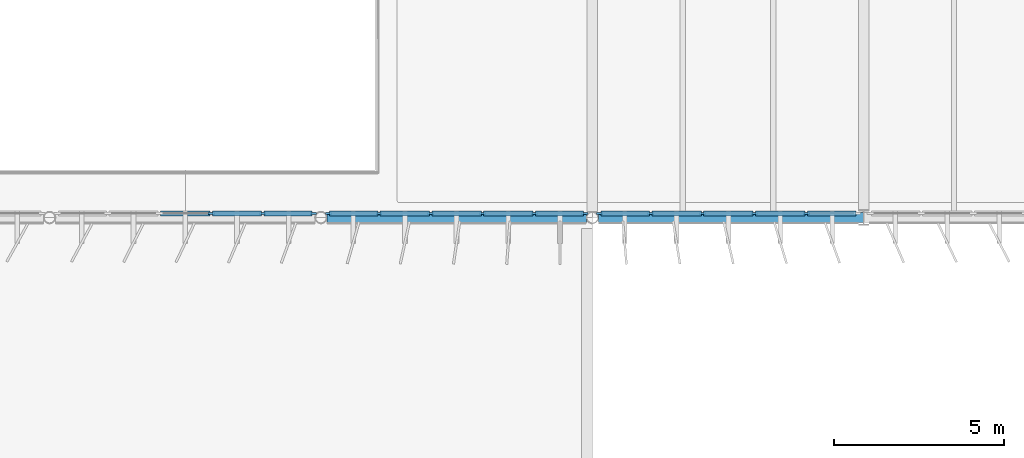
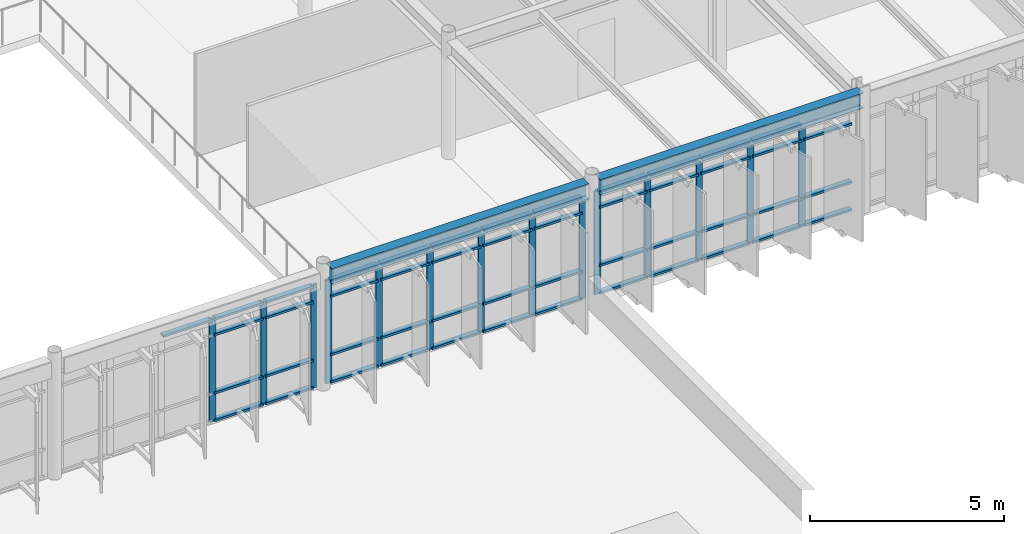
# One storey, part 19 of 56: 62 members, 2 beams, 3 elements without a shape of their own.
"""IFC4 building model written with IfcOpenShell, lengths in metres."""

from ifc_helpers import new_model, si_unit, direction, frame, origin, origin_2d, place, context, subcontext, project, spatial, rectangle, i_section, extrude, material, layer, layer_set, material_profile, profile_set, type_object, element, aggregate, save


model = new_model("IFC4")

# Units and contexts
model_context = context("Model", 3, precision=1e-05, world=origin(), true_north=direction((0.0, 1.0)))
body_context = subcontext(model_context, "Body", "Model", "MODEL_VIEW")
ifc_project = project(units=[si_unit("LENGTHUNIT", "METRE"), si_unit("AREAUNIT", "SQUARE_METRE"), si_unit("VOLUMEUNIT", "CUBIC_METRE"), si_unit("PLANEANGLEUNIT", "RADIAN"), si_unit("MASSUNIT", "GRAM", prefix="KILO")], contexts=[model_context])

# Site, building, storey
site_placement = place(None, origin())
site = spatial("IfcSite", under=ifc_project, at=site_placement, CompositionType="ELEMENT")
building_placement = place(site_placement, origin())
building = spatial("IfcBuilding", under=site, at=building_placement, Name="Valkorina Park Police Headquarters", CompositionType="ELEMENT")
storey_placement = place(building_placement, frame((0.0, 0.0, 14.10009765625)))
storey = spatial("IfcBuildingStorey", under=building, at=storey_placement, Name="L04", CompositionType="ELEMENT", Elevation=14.10009765625)

# Beams
ifc_material_1 = material(Name="Steel S355", Category="steel")
ifc_material_profile_1 = material_profile(ifc_material_1, i_section(OverallWidth=0.300048828125, OverallDepth=0.489990234375, WebThickness=0.011962890625, FlangeThickness=0.02294921875, FilletRadius=0.027099609375, at=origin_2d()), Name="HEA 500")
ifc_profile_set_1 = profile_set([ifc_material_profile_1], Name="Steel S355")
beam_type = type_object("IfcBeamType", Name="BM-S355-HEA500-SPN", PredefinedType="SPANDREL", material=ifc_profile_set_1)
beam_1_placement = place(storey_placement, frame((72.977783203125, 37.0, 3.510009765625), z_axis=(1.0, 0.0, 0.0), x_axis=(0.0, 1.0, 0.0)))
element("IfcBeam", 1, at=beam_1_placement, inside=storey, type_object=beam_type, Name="L04 Framing Beam 2223", PredefinedType="SPANDREL", context=body_context, shape_type="SweptSolid", body=[
    extrude(i_section(OverallWidth=0.300048828125, OverallDepth=0.489990234375, WebThickness=0.011962890625, FlangeThickness=0.02294921875, FilletRadius=0.027099609375, at=origin_2d()), origin(), (0.0, 0.0, 1.0), 7.64453125),
])
beam_2_placement = place(storey_placement, frame((80.977783203125, 37.0, 3.510009765625), z_axis=(1.0, 0.0, 0.0), x_axis=(0.0, 1.0, 0.0)))
element("IfcBeam", 2, at=beam_2_placement, inside=storey, type_object=beam_type, Name="L04 Framing Beam 2224", PredefinedType="SPANDREL", context=body_context, shape_type="SweptSolid", body=[
    extrude(i_section(OverallWidth=0.300048828125, OverallDepth=0.489990234375, WebThickness=0.011962890625, FlangeThickness=0.02294921875, FilletRadius=0.027099609375, at=origin_2d()), origin(), (0.0, 0.0, 1.0), 7.815185546875),
])

# Curtain wall, members
ifc_material_2 = material(Name="Thermally broken aluminium AW-6060", Category="aluminium")
ifc_layer_1 = layer(ifc_material_2, 0.18994140625)
ifc_layer_set_1 = layer_set([ifc_layer_1], Name="Thermally broken aluminium AW-6060")
curtain_wall_type_1 = type_object("IfcCurtainWallType", Name="CW-V5-7650x3260", PredefinedType="NOTDEFINED", material=ifc_layer_set_1)
curtain_wall_1_placement = place(storey_placement, origin())
curtain_wall_1 = element("IfcCurtainWall", 3, at=curtain_wall_1_placement, inside=storey, type_object=curtain_wall_type_1, Name="L04 Unitised Curtain Wall 047", PredefinedType="NOTDEFINED")
ifc_material_profile_2 = material_profile(ifc_material_2, rectangle(XDim=0.070068359375, YDim=0.18994140625, at=origin_2d()), Name="CWM-02 70x190")
ifc_profile_set_2 = profile_set([ifc_material_profile_2], Name="Thermally broken aluminium AW-6060")
member_type_1 = type_object("IfcMemberType", Name="CWM-70x190", PredefinedType="MULLION", material=ifc_profile_set_2)
member_1_placement = place(storey_placement, frame((87.109619140625, 37.1201171875, 0.0), z_axis=(0.0, 0.0, 1.0), x_axis=(0.0, -1.0, 0.0)))
member_1 = element("IfcMember", 4, at=member_1_placement, type_object=member_type_1, Name="CW-V5-765-326 mullion 2", PredefinedType="MULLION", context=body_context, shape_type="SweptSolid", body=[
    extrude(rectangle(XDim=0.070068359375, YDim=0.18994140625, at=origin_2d()), origin(), (0.0, 0.0, 1.0), 3.2548828125),
])
member_2_placement = place(storey_placement, frame((85.5791015625, 37.1201171875, 0.0), z_axis=(0.0, 0.0, 1.0), x_axis=(0.0, -1.0, 0.0)))
member_2 = element("IfcMember", 5, at=member_2_placement, type_object=member_type_1, Name="CW-V5-765-326 mullion 3", PredefinedType="MULLION", context=body_context, shape_type="SweptSolid", body=[
    extrude(rectangle(XDim=0.070068359375, YDim=0.18994140625, at=origin_2d()), origin(), (0.0, 0.0, 1.0), 3.2548828125),
])
member_3_placement = place(storey_placement, frame((84.048583984375, 37.1201171875, 0.0), z_axis=(0.0, 0.0, 1.0), x_axis=(0.0, -1.0, 0.0)))
member_3 = element("IfcMember", 6, at=member_3_placement, type_object=member_type_1, Name="CW-V5-765-326 mullion 4", PredefinedType="MULLION", context=body_context, shape_type="SweptSolid", body=[
    extrude(rectangle(XDim=0.070068359375, YDim=0.18994140625, at=origin_2d()), origin(), (0.0, 0.0, 1.0), 3.2548828125),
])
member_4_placement = place(storey_placement, frame((82.518310546875, 37.1201171875, 0.0), z_axis=(0.0, 0.0, 1.0), x_axis=(0.0, -1.0, 0.0)))
member_4 = element("IfcMember", 7, at=member_4_placement, type_object=member_type_1, Name="CW-V5-765-326 mullion 5", PredefinedType="MULLION", context=body_context, shape_type="SweptSolid", body=[
    extrude(rectangle(XDim=0.070068359375, YDim=0.18994140625, at=origin_2d()), origin(), (0.0, 0.0, 1.0), 3.2548828125),
])
member_5_placement = place(storey_placement, frame((81.022705078125, 37.1201171875, 0.0), z_axis=(0.0, 0.0, 1.0), x_axis=(0.0, -1.0, 0.0)))
member_5 = element("IfcMember", 8, at=member_5_placement, type_object=member_type_1, Name="CW-V5-765-326 mullion 6", PredefinedType="MULLION", context=body_context, shape_type="SweptSolid", body=[
    extrude(rectangle(XDim=0.070068359375, YDim=0.18994140625, at=origin_2d()), origin(), (0.0, 0.0, 1.0), 3.2548828125),
])

ifc_layer_2 = layer(ifc_material_2, 0.18994140625)
ifc_layer_set_2 = layer_set([ifc_layer_2], Name="Thermally broken aluminium AW-6060")
curtain_wall_type_2 = type_object("IfcCurtainWallType", Name="CW-V5-7620x3260", PredefinedType="NOTDEFINED", material=ifc_layer_set_2)
curtain_wall_2_placement = place(storey_placement, origin())
curtain_wall_2 = element("IfcCurtainWall", 9, at=curtain_wall_2_placement, inside=storey, type_object=curtain_wall_type_2, Name="L04 Unitised Curtain Wall 048", PredefinedType="NOTDEFINED")
member_6_placement = place(storey_placement, frame((80.5771484375, 37.1201171875, 0.0), z_axis=(0.0, 0.0, 1.0), x_axis=(0.0, -1.0, 0.0)))
member_6 = element("IfcMember", 10, at=member_6_placement, type_object=member_type_1, Name="CW-V5-762-326 mullion 1", PredefinedType="MULLION", context=body_context, shape_type="SweptSolid", body=[
    extrude(rectangle(XDim=0.070068359375, YDim=0.18994140625, at=origin_2d()), origin(), (0.0, 0.0, 1.0), 3.2548828125),
])
member_7_placement = place(storey_placement, frame((79.08740234375, 37.1201171875, 0.0), z_axis=(0.0, 0.0, 1.0), x_axis=(0.0, -1.0, 0.0)))
member_7 = element("IfcMember", 11, at=member_7_placement, type_object=member_type_1, Name="CW-V5-762-326 mullion 2", PredefinedType="MULLION", context=body_context, shape_type="SweptSolid", body=[
    extrude(rectangle(XDim=0.070068359375, YDim=0.18994140625, at=origin_2d()), origin(), (0.0, 0.0, 1.0), 3.2548828125),
])
member_8_placement = place(storey_placement, frame((77.5625, 37.1201171875, 0.0), z_axis=(0.0, 0.0, 1.0), x_axis=(0.0, -1.0, 0.0)))
member_8 = element("IfcMember", 12, at=member_8_placement, type_object=member_type_1, Name="CW-V5-762-326 mullion 3", PredefinedType="MULLION", context=body_context, shape_type="SweptSolid", body=[
    extrude(rectangle(XDim=0.070068359375, YDim=0.18994140625, at=origin_2d()), origin(), (0.0, 0.0, 1.0), 3.2548828125),
])
member_9_placement = place(storey_placement, frame((76.03759765625, 37.1201171875, 0.0), z_axis=(0.0, 0.0, 1.0), x_axis=(0.0, -1.0, 0.0)))
member_9 = element("IfcMember", 13, at=member_9_placement, type_object=member_type_1, Name="CW-V5-762-326 mullion 4", PredefinedType="MULLION", context=body_context, shape_type="SweptSolid", body=[
    extrude(rectangle(XDim=0.070068359375, YDim=0.18994140625, at=origin_2d()), origin(), (0.0, 0.0, 1.0), 3.2548828125),
])
member_10_placement = place(storey_placement, frame((74.5126953125, 37.1201171875, 0.0), z_axis=(0.0, 0.0, 1.0), x_axis=(0.0, -1.0, 0.0)))
member_10 = element("IfcMember", 14, at=member_10_placement, type_object=member_type_1, Name="CW-V5-762-326 mullion 5", PredefinedType="MULLION", context=body_context, shape_type="SweptSolid", body=[
    extrude(rectangle(XDim=0.070068359375, YDim=0.18994140625, at=origin_2d()), origin(), (0.0, 0.0, 1.0), 3.2548828125),
])
member_11_placement = place(storey_placement, frame((73.022705078125, 37.1201171875, 0.0), z_axis=(0.0, 0.0, 1.0), x_axis=(0.0, -1.0, 0.0)))
member_11 = element("IfcMember", 15, at=member_11_placement, type_object=member_type_1, Name="CW-V5-762-326 mullion 6", PredefinedType="MULLION", context=body_context, shape_type="SweptSolid", body=[
    extrude(rectangle(XDim=0.070068359375, YDim=0.18994140625, at=origin_2d()), origin(), (0.0, 0.0, 1.0), 3.2548828125),
])

curtain_wall_3_placement = place(storey_placement, origin())
curtain_wall_3 = element("IfcCurtainWall", 16, at=curtain_wall_3_placement, inside=storey, type_object=curtain_wall_type_2, Name="L04 Unitised Curtain Wall 049", PredefinedType="NOTDEFINED")
member_12_placement = place(storey_placement, frame((72.5771484375, 37.1201171875, 0.0), z_axis=(0.0, 0.0, 1.0), x_axis=(0.0, -1.0, 0.0)))
member_12 = element("IfcMember", 17, at=member_12_placement, type_object=member_type_1, Name="CW-V5-762-326 mullion 1", PredefinedType="MULLION", context=body_context, shape_type="SweptSolid", body=[
    extrude(rectangle(XDim=0.070068359375, YDim=0.18994140625, at=origin_2d()), origin(), (0.0, 0.0, 1.0), 3.2548828125),
])
member_13_placement = place(storey_placement, frame((71.08740234375, 37.1201171875, 0.0), z_axis=(0.0, 0.0, 1.0), x_axis=(0.0, -1.0, 0.0)))
member_13 = element("IfcMember", 18, at=member_13_placement, type_object=member_type_1, Name="CW-V5-762-326 mullion 2", PredefinedType="MULLION", context=body_context, shape_type="SweptSolid", body=[
    extrude(rectangle(XDim=0.070068359375, YDim=0.18994140625, at=origin_2d()), origin(), (0.0, 0.0, 1.0), 3.2548828125),
])
member_14_placement = place(storey_placement, frame((69.5625, 37.1201171875, 0.0), z_axis=(0.0, 0.0, 1.0), x_axis=(0.0, -1.0, 0.0)))
member_14 = element("IfcMember", 19, at=member_14_placement, type_object=member_type_1, Name="CW-V5-762-326 mullion 3", PredefinedType="MULLION", context=body_context, shape_type="SweptSolid", body=[
    extrude(rectangle(XDim=0.070068359375, YDim=0.18994140625, at=origin_2d()), origin(), (0.0, 0.0, 1.0), 3.2548828125),
])

# Member
ifc_material_profile_3 = material_profile(ifc_material_2, rectangle(XDim=0.14990234375, YDim=0.070068359375, at=origin_2d()), Name="CWT-02 150x70")
ifc_profile_set_3 = profile_set([ifc_material_profile_3], Name="Thermally broken aluminium AW-6060")
member_type_2 = type_object("IfcMemberType", Name="CWT-150x70", PredefinedType="USERDEFINED", material=ifc_profile_set_3)
member_15_placement = place(storey_placement, frame((88.570068359375, 37.1201171875, 0.034912109375), z_axis=(-1.0, 0.0, 0.0), x_axis=(0.0, -1.0, 0.0)))
member_15 = element("IfcMember", 20, at=member_15_placement, type_object=member_type_2, Name="CW-V5-765-326 transom 1.1", ObjectType="TRANSOM", PredefinedType="USERDEFINED", context=body_context, shape_type="SweptSolid", body=[
    extrude(rectangle(XDim=0.14990234375, YDim=0.070068359375, at=origin_2d()), origin(), (0.0, 0.0, 1.0), 1.425537109375),
])

member_16_placement = place(storey_placement, frame((88.570068359375, 37.1201171875, 0.89990234375), z_axis=(-1.0, 0.0, 0.0), x_axis=(0.0, -1.0, 0.0)))
member_16 = element("IfcMember", 21, at=member_16_placement, type_object=member_type_2, Name="CW-V5-765-326 transom 1.2", ObjectType="TRANSOM", PredefinedType="USERDEFINED", context=body_context, shape_type="SweptSolid", body=[
    extrude(rectangle(XDim=0.14990234375, YDim=0.070068359375, at=origin_2d()), origin(), (0.0, 0.0, 1.0), 1.425537109375),
])

member_17_placement = place(storey_placement, frame((88.570068359375, 37.1201171875, 2.73486328125), z_axis=(-1.0, 0.0, 0.0), x_axis=(0.0, -1.0, 0.0)))
member_17 = element("IfcMember", 22, at=member_17_placement, type_object=member_type_2, Name="CW-V5-765-326 transom 1.3", ObjectType="TRANSOM", PredefinedType="USERDEFINED", context=body_context, shape_type="SweptSolid", body=[
    extrude(rectangle(XDim=0.14990234375, YDim=0.070068359375, at=origin_2d()), origin(), (0.0, 0.0, 1.0), 1.425537109375),
])

member_18_placement = place(storey_placement, frame((87.074462890625, 37.1201171875, 0.034912109375), z_axis=(-1.0, 0.0, 0.0), x_axis=(0.0, -1.0, 0.0)))
member_18 = element("IfcMember", 23, at=member_18_placement, type_object=member_type_2, Name="CW-V5-765-326 transom 2.1", ObjectType="TRANSOM", PredefinedType="USERDEFINED", context=body_context, shape_type="SweptSolid", body=[
    extrude(rectangle(XDim=0.14990234375, YDim=0.070068359375, at=origin_2d()), origin(), (0.0, 0.0, 1.0), 1.46044921875),
])

member_19_placement = place(storey_placement, frame((87.074462890625, 37.1201171875, 0.89990234375), z_axis=(-1.0, 0.0, 0.0), x_axis=(0.0, -1.0, 0.0)))
member_19 = element("IfcMember", 24, at=member_19_placement, type_object=member_type_2, Name="CW-V5-765-326 transom 2.2", ObjectType="TRANSOM", PredefinedType="USERDEFINED", context=body_context, shape_type="SweptSolid", body=[
    extrude(rectangle(XDim=0.14990234375, YDim=0.070068359375, at=origin_2d()), origin(), (0.0, 0.0, 1.0), 1.46044921875),
])

member_20_placement = place(storey_placement, frame((87.074462890625, 37.1201171875, 2.73486328125), z_axis=(-1.0, 0.0, 0.0), x_axis=(0.0, -1.0, 0.0)))
member_20 = element("IfcMember", 25, at=member_20_placement, type_object=member_type_2, Name="CW-V5-765-326 transom 2.3", ObjectType="TRANSOM", PredefinedType="USERDEFINED", context=body_context, shape_type="SweptSolid", body=[
    extrude(rectangle(XDim=0.14990234375, YDim=0.070068359375, at=origin_2d()), origin(), (0.0, 0.0, 1.0), 1.46044921875),
])

member_21_placement = place(storey_placement, frame((87.074462890625, 37.1201171875, 3.219970703125), z_axis=(-1.0, 0.0, 0.0), x_axis=(0.0, -1.0, 0.0)))
member_21 = element("IfcMember", 26, at=member_21_placement, type_object=member_type_2, Name="CW-V5-765-326 transom 2.4", ObjectType="TRANSOM", PredefinedType="USERDEFINED", context=body_context, shape_type="SweptSolid", body=[
    extrude(rectangle(XDim=0.14990234375, YDim=0.070068359375, at=origin_2d()), origin(), (0.0, 0.0, 1.0), 1.46044921875),
])

member_22_placement = place(storey_placement, frame((85.544189453125, 37.1201171875, 0.034912109375), z_axis=(-1.0, 0.0, 0.0), x_axis=(0.0, -1.0, 0.0)))
member_22 = element("IfcMember", 27, at=member_22_placement, type_object=member_type_2, Name="CW-V5-765-326 transom 3.1", ObjectType="TRANSOM", PredefinedType="USERDEFINED", context=body_context, shape_type="SweptSolid", body=[
    extrude(rectangle(XDim=0.14990234375, YDim=0.070068359375, at=origin_2d()), origin(), (0.0, 0.0, 1.0), 1.46044921875),
])

member_23_placement = place(storey_placement, frame((85.544189453125, 37.1201171875, 0.89990234375), z_axis=(-1.0, 0.0, 0.0), x_axis=(0.0, -1.0, 0.0)))
member_23 = element("IfcMember", 28, at=member_23_placement, type_object=member_type_2, Name="CW-V5-765-326 transom 3.2", ObjectType="TRANSOM", PredefinedType="USERDEFINED", context=body_context, shape_type="SweptSolid", body=[
    extrude(rectangle(XDim=0.14990234375, YDim=0.070068359375, at=origin_2d()), origin(), (0.0, 0.0, 1.0), 1.46044921875),
])

member_24_placement = place(storey_placement, frame((85.544189453125, 37.1201171875, 2.73486328125), z_axis=(-1.0, 0.0, 0.0), x_axis=(0.0, -1.0, 0.0)))
member_24 = element("IfcMember", 29, at=member_24_placement, type_object=member_type_2, Name="CW-V5-765-326 transom 3.3", ObjectType="TRANSOM", PredefinedType="USERDEFINED", context=body_context, shape_type="SweptSolid", body=[
    extrude(rectangle(XDim=0.14990234375, YDim=0.070068359375, at=origin_2d()), origin(), (0.0, 0.0, 1.0), 1.46044921875),
])

member_25_placement = place(storey_placement, frame((85.544189453125, 37.1201171875, 3.219970703125), z_axis=(-1.0, 0.0, 0.0), x_axis=(0.0, -1.0, 0.0)))
member_25 = element("IfcMember", 30, at=member_25_placement, type_object=member_type_2, Name="CW-V5-765-326 transom 3.4", ObjectType="TRANSOM", PredefinedType="USERDEFINED", context=body_context, shape_type="SweptSolid", body=[
    extrude(rectangle(XDim=0.14990234375, YDim=0.070068359375, at=origin_2d()), origin(), (0.0, 0.0, 1.0), 1.46044921875),
])

member_26_placement = place(storey_placement, frame((84.013671875, 37.1201171875, 0.034912109375), z_axis=(-1.0, 0.0, 0.0), x_axis=(0.0, -1.0, 0.0)))
member_26 = element("IfcMember", 31, at=member_26_placement, type_object=member_type_2, Name="CW-V5-765-326 transom 4.1", ObjectType="TRANSOM", PredefinedType="USERDEFINED", context=body_context, shape_type="SweptSolid", body=[
    extrude(rectangle(XDim=0.14990234375, YDim=0.070068359375, at=origin_2d()), origin(), (0.0, 0.0, 1.0), 1.46044921875),
])

member_27_placement = place(storey_placement, frame((84.013671875, 37.1201171875, 0.89990234375), z_axis=(-1.0, 0.0, 0.0), x_axis=(0.0, -1.0, 0.0)))
member_27 = element("IfcMember", 32, at=member_27_placement, type_object=member_type_2, Name="CW-V5-765-326 transom 4.2", ObjectType="TRANSOM", PredefinedType="USERDEFINED", context=body_context, shape_type="SweptSolid", body=[
    extrude(rectangle(XDim=0.14990234375, YDim=0.070068359375, at=origin_2d()), origin(), (0.0, 0.0, 1.0), 1.46044921875),
])

member_28_placement = place(storey_placement, frame((84.013671875, 37.1201171875, 2.73486328125), z_axis=(-1.0, 0.0, 0.0), x_axis=(0.0, -1.0, 0.0)))
member_28 = element("IfcMember", 33, at=member_28_placement, type_object=member_type_2, Name="CW-V5-765-326 transom 4.3", ObjectType="TRANSOM", PredefinedType="USERDEFINED", context=body_context, shape_type="SweptSolid", body=[
    extrude(rectangle(XDim=0.14990234375, YDim=0.070068359375, at=origin_2d()), origin(), (0.0, 0.0, 1.0), 1.46044921875),
])

member_29_placement = place(storey_placement, frame((84.013671875, 37.1201171875, 3.219970703125), z_axis=(-1.0, 0.0, 0.0), x_axis=(0.0, -1.0, 0.0)))
member_29 = element("IfcMember", 34, at=member_29_placement, type_object=member_type_2, Name="CW-V5-765-326 transom 4.4", ObjectType="TRANSOM", PredefinedType="USERDEFINED", context=body_context, shape_type="SweptSolid", body=[
    extrude(rectangle(XDim=0.14990234375, YDim=0.070068359375, at=origin_2d()), origin(), (0.0, 0.0, 1.0), 1.46044921875),
])

member_30_placement = place(storey_placement, frame((82.483154296875, 37.1201171875, 0.034912109375), z_axis=(-1.0, 0.0, 0.0), x_axis=(0.0, -1.0, 0.0)))
member_30 = element("IfcMember", 35, at=member_30_placement, type_object=member_type_2, Name="CW-V5-765-326 transom 5.1", ObjectType="TRANSOM", PredefinedType="USERDEFINED", context=body_context, shape_type="SweptSolid", body=[
    extrude(rectangle(XDim=0.14990234375, YDim=0.070068359375, at=origin_2d()), origin(), (0.0, 0.0, 1.0), 1.42529296875),
])

member_31_placement = place(storey_placement, frame((82.483154296875, 37.1201171875, 0.89990234375), z_axis=(-1.0, 0.0, 0.0), x_axis=(0.0, -1.0, 0.0)))
member_31 = element("IfcMember", 36, at=member_31_placement, type_object=member_type_2, Name="CW-V5-765-326 transom 5.2", ObjectType="TRANSOM", PredefinedType="USERDEFINED", context=body_context, shape_type="SweptSolid", body=[
    extrude(rectangle(XDim=0.14990234375, YDim=0.070068359375, at=origin_2d()), origin(), (0.0, 0.0, 1.0), 1.42529296875),
])

member_32_placement = place(storey_placement, frame((82.483154296875, 37.1201171875, 2.73486328125), z_axis=(-1.0, 0.0, 0.0), x_axis=(0.0, -1.0, 0.0)))
member_32 = element("IfcMember", 37, at=member_32_placement, type_object=member_type_2, Name="CW-V5-765-326 transom 5.3", ObjectType="TRANSOM", PredefinedType="USERDEFINED", context=body_context, shape_type="SweptSolid", body=[
    extrude(rectangle(XDim=0.14990234375, YDim=0.070068359375, at=origin_2d()), origin(), (0.0, 0.0, 1.0), 1.42529296875),
])

member_33_placement = place(storey_placement, frame((82.483154296875, 37.1201171875, 3.219970703125), z_axis=(-1.0, 0.0, 0.0), x_axis=(0.0, -1.0, 0.0)))
member_33 = element("IfcMember", 38, at=member_33_placement, type_object=member_type_2, Name="CW-V5-765-326 transom 5.4", ObjectType="TRANSOM", PredefinedType="USERDEFINED", context=body_context, shape_type="SweptSolid", body=[
    extrude(rectangle(XDim=0.14990234375, YDim=0.070068359375, at=origin_2d()), origin(), (0.0, 0.0, 1.0), 1.42529296875),
])

aggregate(curtain_wall_1, [member_1, member_2, member_3, member_4, member_5, member_15, member_16, member_17, member_18, member_19, member_20, member_21, member_22, member_23, member_24, member_25, member_26, member_27, member_28, member_29, member_30, member_31, member_32, member_33])

member_34_placement = place(storey_placement, frame((80.542236328125, 37.1201171875, 0.034912109375), z_axis=(-1.0, 0.0, 0.0), x_axis=(0.0, -1.0, 0.0)))
member_34 = element("IfcMember", 39, at=member_34_placement, type_object=member_type_2, Name="CW-V5-762-326 transom 1.1", ObjectType="TRANSOM", PredefinedType="USERDEFINED", context=body_context, shape_type="SweptSolid", body=[
    extrude(rectangle(XDim=0.14990234375, YDim=0.070068359375, at=origin_2d()), origin(), (0.0, 0.0, 1.0), 1.419921875),
])

member_35_placement = place(storey_placement, frame((80.542236328125, 37.1201171875, 0.89990234375), z_axis=(-1.0, 0.0, 0.0), x_axis=(0.0, -1.0, 0.0)))
member_35 = element("IfcMember", 40, at=member_35_placement, type_object=member_type_2, Name="CW-V5-762-326 transom 1.2", ObjectType="TRANSOM", PredefinedType="USERDEFINED", context=body_context, shape_type="SweptSolid", body=[
    extrude(rectangle(XDim=0.14990234375, YDim=0.070068359375, at=origin_2d()), origin(), (0.0, 0.0, 1.0), 1.419921875),
])

member_36_placement = place(storey_placement, frame((80.542236328125, 37.1201171875, 2.73486328125), z_axis=(-1.0, 0.0, 0.0), x_axis=(0.0, -1.0, 0.0)))
member_36 = element("IfcMember", 41, at=member_36_placement, type_object=member_type_2, Name="CW-V5-762-326 transom 1.3", ObjectType="TRANSOM", PredefinedType="USERDEFINED", context=body_context, shape_type="SweptSolid", body=[
    extrude(rectangle(XDim=0.14990234375, YDim=0.070068359375, at=origin_2d()), origin(), (0.0, 0.0, 1.0), 1.419921875),
])

member_37_placement = place(storey_placement, frame((80.542236328125, 37.1201171875, 3.219970703125), z_axis=(-1.0, 0.0, 0.0), x_axis=(0.0, -1.0, 0.0)))
member_37 = element("IfcMember", 42, at=member_37_placement, type_object=member_type_2, Name="CW-V5-762-326 transom 1.4", ObjectType="TRANSOM", PredefinedType="USERDEFINED", context=body_context, shape_type="SweptSolid", body=[
    extrude(rectangle(XDim=0.14990234375, YDim=0.070068359375, at=origin_2d()), origin(), (0.0, 0.0, 1.0), 1.419921875),
])

member_38_placement = place(storey_placement, frame((79.05224609375, 37.1201171875, 0.034912109375), z_axis=(-1.0, 0.0, 0.0), x_axis=(0.0, -1.0, 0.0)))
member_38 = element("IfcMember", 43, at=member_38_placement, type_object=member_type_2, Name="CW-V5-762-326 transom 2.1", ObjectType="TRANSOM", PredefinedType="USERDEFINED", context=body_context, shape_type="SweptSolid", body=[
    extrude(rectangle(XDim=0.14990234375, YDim=0.070068359375, at=origin_2d()), origin(), (0.0, 0.0, 1.0), 1.454833984375),
])

member_39_placement = place(storey_placement, frame((79.05224609375, 37.1201171875, 0.89990234375), z_axis=(-1.0, 0.0, 0.0), x_axis=(0.0, -1.0, 0.0)))
member_39 = element("IfcMember", 44, at=member_39_placement, type_object=member_type_2, Name="CW-V5-762-326 transom 2.2", ObjectType="TRANSOM", PredefinedType="USERDEFINED", context=body_context, shape_type="SweptSolid", body=[
    extrude(rectangle(XDim=0.14990234375, YDim=0.070068359375, at=origin_2d()), origin(), (0.0, 0.0, 1.0), 1.454833984375),
])

member_40_placement = place(storey_placement, frame((79.05224609375, 37.1201171875, 2.73486328125), z_axis=(-1.0, 0.0, 0.0), x_axis=(0.0, -1.0, 0.0)))
member_40 = element("IfcMember", 45, at=member_40_placement, type_object=member_type_2, Name="CW-V5-762-326 transom 2.3", ObjectType="TRANSOM", PredefinedType="USERDEFINED", context=body_context, shape_type="SweptSolid", body=[
    extrude(rectangle(XDim=0.14990234375, YDim=0.070068359375, at=origin_2d()), origin(), (0.0, 0.0, 1.0), 1.454833984375),
])

member_41_placement = place(storey_placement, frame((79.05224609375, 37.1201171875, 3.219970703125), z_axis=(-1.0, 0.0, 0.0), x_axis=(0.0, -1.0, 0.0)))
member_41 = element("IfcMember", 46, at=member_41_placement, type_object=member_type_2, Name="CW-V5-762-326 transom 2.4", ObjectType="TRANSOM", PredefinedType="USERDEFINED", context=body_context, shape_type="SweptSolid", body=[
    extrude(rectangle(XDim=0.14990234375, YDim=0.070068359375, at=origin_2d()), origin(), (0.0, 0.0, 1.0), 1.454833984375),
])

member_42_placement = place(storey_placement, frame((77.52734375, 37.1201171875, 0.034912109375), z_axis=(-1.0, 0.0, 0.0), x_axis=(0.0, -1.0, 0.0)))
member_42 = element("IfcMember", 47, at=member_42_placement, type_object=member_type_2, Name="CW-V5-762-326 transom 3.1", ObjectType="TRANSOM", PredefinedType="USERDEFINED", context=body_context, shape_type="SweptSolid", body=[
    extrude(rectangle(XDim=0.14990234375, YDim=0.070068359375, at=origin_2d()), origin(), (0.0, 0.0, 1.0), 1.454833984375),
])

member_43_placement = place(storey_placement, frame((77.52734375, 37.1201171875, 0.89990234375), z_axis=(-1.0, 0.0, 0.0), x_axis=(0.0, -1.0, 0.0)))
member_43 = element("IfcMember", 48, at=member_43_placement, type_object=member_type_2, Name="CW-V5-762-326 transom 3.2", ObjectType="TRANSOM", PredefinedType="USERDEFINED", context=body_context, shape_type="SweptSolid", body=[
    extrude(rectangle(XDim=0.14990234375, YDim=0.070068359375, at=origin_2d()), origin(), (0.0, 0.0, 1.0), 1.454833984375),
])

member_44_placement = place(storey_placement, frame((77.52734375, 37.1201171875, 2.73486328125), z_axis=(-1.0, 0.0, 0.0), x_axis=(0.0, -1.0, 0.0)))
member_44 = element("IfcMember", 49, at=member_44_placement, type_object=member_type_2, Name="CW-V5-762-326 transom 3.3", ObjectType="TRANSOM", PredefinedType="USERDEFINED", context=body_context, shape_type="SweptSolid", body=[
    extrude(rectangle(XDim=0.14990234375, YDim=0.070068359375, at=origin_2d()), origin(), (0.0, 0.0, 1.0), 1.454833984375),
])

member_45_placement = place(storey_placement, frame((77.52734375, 37.1201171875, 3.219970703125), z_axis=(-1.0, 0.0, 0.0), x_axis=(0.0, -1.0, 0.0)))
member_45 = element("IfcMember", 50, at=member_45_placement, type_object=member_type_2, Name="CW-V5-762-326 transom 3.4", ObjectType="TRANSOM", PredefinedType="USERDEFINED", context=body_context, shape_type="SweptSolid", body=[
    extrude(rectangle(XDim=0.14990234375, YDim=0.070068359375, at=origin_2d()), origin(), (0.0, 0.0, 1.0), 1.454833984375),
])

member_46_placement = place(storey_placement, frame((76.00244140625, 37.1201171875, 0.034912109375), z_axis=(-1.0, 0.0, 0.0), x_axis=(0.0, -1.0, 0.0)))
member_46 = element("IfcMember", 51, at=member_46_placement, type_object=member_type_2, Name="CW-V5-762-326 transom 4.1", ObjectType="TRANSOM", PredefinedType="USERDEFINED", context=body_context, shape_type="SweptSolid", body=[
    extrude(rectangle(XDim=0.14990234375, YDim=0.070068359375, at=origin_2d()), origin(), (0.0, 0.0, 1.0), 1.454833984375),
])

member_47_placement = place(storey_placement, frame((76.00244140625, 37.1201171875, 0.89990234375), z_axis=(-1.0, 0.0, 0.0), x_axis=(0.0, -1.0, 0.0)))
member_47 = element("IfcMember", 52, at=member_47_placement, type_object=member_type_2, Name="CW-V5-762-326 transom 4.2", ObjectType="TRANSOM", PredefinedType="USERDEFINED", context=body_context, shape_type="SweptSolid", body=[
    extrude(rectangle(XDim=0.14990234375, YDim=0.070068359375, at=origin_2d()), origin(), (0.0, 0.0, 1.0), 1.454833984375),
])

member_48_placement = place(storey_placement, frame((76.00244140625, 37.1201171875, 2.73486328125), z_axis=(-1.0, 0.0, 0.0), x_axis=(0.0, -1.0, 0.0)))
member_48 = element("IfcMember", 53, at=member_48_placement, type_object=member_type_2, Name="CW-V5-762-326 transom 4.3", ObjectType="TRANSOM", PredefinedType="USERDEFINED", context=body_context, shape_type="SweptSolid", body=[
    extrude(rectangle(XDim=0.14990234375, YDim=0.070068359375, at=origin_2d()), origin(), (0.0, 0.0, 1.0), 1.454833984375),
])

member_49_placement = place(storey_placement, frame((76.00244140625, 37.1201171875, 3.219970703125), z_axis=(-1.0, 0.0, 0.0), x_axis=(0.0, -1.0, 0.0)))
member_49 = element("IfcMember", 54, at=member_49_placement, type_object=member_type_2, Name="CW-V5-762-326 transom 4.4", ObjectType="TRANSOM", PredefinedType="USERDEFINED", context=body_context, shape_type="SweptSolid", body=[
    extrude(rectangle(XDim=0.14990234375, YDim=0.070068359375, at=origin_2d()), origin(), (0.0, 0.0, 1.0), 1.454833984375),
])

member_50_placement = place(storey_placement, frame((74.477783203125, 37.1201171875, 0.034912109375), z_axis=(-1.0, 0.0, 0.0), x_axis=(0.0, -1.0, 0.0)))
member_50 = element("IfcMember", 55, at=member_50_placement, type_object=member_type_2, Name="CW-V5-762-326 transom 5.1", ObjectType="TRANSOM", PredefinedType="USERDEFINED", context=body_context, shape_type="SweptSolid", body=[
    extrude(rectangle(XDim=0.14990234375, YDim=0.070068359375, at=origin_2d()), origin(), (0.0, 0.0, 1.0), 1.419921875),
])

member_51_placement = place(storey_placement, frame((74.477783203125, 37.1201171875, 0.89990234375), z_axis=(-1.0, 0.0, 0.0), x_axis=(0.0, -1.0, 0.0)))
member_51 = element("IfcMember", 56, at=member_51_placement, type_object=member_type_2, Name="CW-V5-762-326 transom 5.2", ObjectType="TRANSOM", PredefinedType="USERDEFINED", context=body_context, shape_type="SweptSolid", body=[
    extrude(rectangle(XDim=0.14990234375, YDim=0.070068359375, at=origin_2d()), origin(), (0.0, 0.0, 1.0), 1.419921875),
])

member_52_placement = place(storey_placement, frame((74.477783203125, 37.1201171875, 2.73486328125), z_axis=(-1.0, 0.0, 0.0), x_axis=(0.0, -1.0, 0.0)))
member_52 = element("IfcMember", 57, at=member_52_placement, type_object=member_type_2, Name="CW-V5-762-326 transom 5.3", ObjectType="TRANSOM", PredefinedType="USERDEFINED", context=body_context, shape_type="SweptSolid", body=[
    extrude(rectangle(XDim=0.14990234375, YDim=0.070068359375, at=origin_2d()), origin(), (0.0, 0.0, 1.0), 1.419921875),
])

member_53_placement = place(storey_placement, frame((74.477783203125, 37.1201171875, 3.219970703125), z_axis=(-1.0, 0.0, 0.0), x_axis=(0.0, -1.0, 0.0)))
member_53 = element("IfcMember", 58, at=member_53_placement, type_object=member_type_2, Name="CW-V5-762-326 transom 5.4", ObjectType="TRANSOM", PredefinedType="USERDEFINED", context=body_context, shape_type="SweptSolid", body=[
    extrude(rectangle(XDim=0.14990234375, YDim=0.070068359375, at=origin_2d()), origin(), (0.0, 0.0, 1.0), 1.419921875),
])

aggregate(curtain_wall_2, [member_6, member_7, member_8, member_9, member_10, member_11, member_34, member_35, member_36, member_37, member_38, member_39, member_40, member_41, member_42, member_43, member_44, member_45, member_46, member_47, member_48, member_49, member_50, member_51, member_52, member_53])

member_54_placement = place(storey_placement, frame((72.542236328125, 37.1201171875, 0.034912109375), z_axis=(-1.0, 0.0, 0.0), x_axis=(0.0, -1.0, 0.0)))
member_54 = element("IfcMember", 59, at=member_54_placement, type_object=member_type_2, Name="CW-V5-762-326 transom 1.1", ObjectType="TRANSOM", PredefinedType="USERDEFINED", context=body_context, shape_type="SweptSolid", body=[
    extrude(rectangle(XDim=0.14990234375, YDim=0.070068359375, at=origin_2d()), origin(), (0.0, 0.0, 1.0), 1.419921875),
])

member_55_placement = place(storey_placement, frame((72.542236328125, 37.1201171875, 0.89990234375), z_axis=(-1.0, 0.0, 0.0), x_axis=(0.0, -1.0, 0.0)))
member_55 = element("IfcMember", 60, at=member_55_placement, type_object=member_type_2, Name="CW-V5-762-326 transom 1.2", ObjectType="TRANSOM", PredefinedType="USERDEFINED", context=body_context, shape_type="SweptSolid", body=[
    extrude(rectangle(XDim=0.14990234375, YDim=0.070068359375, at=origin_2d()), origin(), (0.0, 0.0, 1.0), 1.419921875),
])

member_56_placement = place(storey_placement, frame((72.542236328125, 37.1201171875, 2.73486328125), z_axis=(-1.0, 0.0, 0.0), x_axis=(0.0, -1.0, 0.0)))
member_56 = element("IfcMember", 61, at=member_56_placement, type_object=member_type_2, Name="CW-V5-762-326 transom 1.3", ObjectType="TRANSOM", PredefinedType="USERDEFINED", context=body_context, shape_type="SweptSolid", body=[
    extrude(rectangle(XDim=0.14990234375, YDim=0.070068359375, at=origin_2d()), origin(), (0.0, 0.0, 1.0), 1.419921875),
])

member_57_placement = place(storey_placement, frame((72.542236328125, 37.1201171875, 3.219970703125), z_axis=(-1.0, 0.0, 0.0), x_axis=(0.0, -1.0, 0.0)))
member_57 = element("IfcMember", 62, at=member_57_placement, type_object=member_type_2, Name="CW-V5-762-326 transom 1.4", ObjectType="TRANSOM", PredefinedType="USERDEFINED", context=body_context, shape_type="SweptSolid", body=[
    extrude(rectangle(XDim=0.14990234375, YDim=0.070068359375, at=origin_2d()), origin(), (0.0, 0.0, 1.0), 1.419921875),
])

member_58_placement = place(storey_placement, frame((71.05224609375, 37.1201171875, 0.034912109375), z_axis=(-1.0, 0.0, 0.0), x_axis=(0.0, -1.0, 0.0)))
member_58 = element("IfcMember", 63, at=member_58_placement, type_object=member_type_2, Name="CW-V5-762-326 transom 2.1", ObjectType="TRANSOM", PredefinedType="USERDEFINED", context=body_context, shape_type="SweptSolid", body=[
    extrude(rectangle(XDim=0.14990234375, YDim=0.070068359375, at=origin_2d()), origin(), (0.0, 0.0, 1.0), 1.454833984375),
])

member_59_placement = place(storey_placement, frame((71.05224609375, 37.1201171875, 0.89990234375), z_axis=(-1.0, 0.0, 0.0), x_axis=(0.0, -1.0, 0.0)))
member_59 = element("IfcMember", 64, at=member_59_placement, type_object=member_type_2, Name="CW-V5-762-326 transom 2.2", ObjectType="TRANSOM", PredefinedType="USERDEFINED", context=body_context, shape_type="SweptSolid", body=[
    extrude(rectangle(XDim=0.14990234375, YDim=0.070068359375, at=origin_2d()), origin(), (0.0, 0.0, 1.0), 1.454833984375),
])

member_60_placement = place(storey_placement, frame((71.05224609375, 37.1201171875, 2.73486328125), z_axis=(-1.0, 0.0, 0.0), x_axis=(0.0, -1.0, 0.0)))
member_60 = element("IfcMember", 65, at=member_60_placement, type_object=member_type_2, Name="CW-V5-762-326 transom 2.3", ObjectType="TRANSOM", PredefinedType="USERDEFINED", context=body_context, shape_type="SweptSolid", body=[
    extrude(rectangle(XDim=0.14990234375, YDim=0.070068359375, at=origin_2d()), origin(), (0.0, 0.0, 1.0), 1.454833984375),
])

member_61_placement = place(storey_placement, frame((71.05224609375, 37.1201171875, 3.219970703125), z_axis=(-1.0, 0.0, 0.0), x_axis=(0.0, -1.0, 0.0)))
member_61 = element("IfcMember", 66, at=member_61_placement, type_object=member_type_2, Name="CW-V5-762-326 transom 2.4", ObjectType="TRANSOM", PredefinedType="USERDEFINED", context=body_context, shape_type="SweptSolid", body=[
    extrude(rectangle(XDim=0.14990234375, YDim=0.070068359375, at=origin_2d()), origin(), (0.0, 0.0, 1.0), 1.454833984375),
])

member_62_placement = place(storey_placement, frame((69.52734375, 37.1201171875, 3.219970703125), z_axis=(-1.0, 0.0, 0.0), x_axis=(0.0, -1.0, 0.0)))
member_62 = element("IfcMember", 67, at=member_62_placement, type_object=member_type_2, Name="CW-V5-762-326 transom 3.4", ObjectType="TRANSOM", PredefinedType="USERDEFINED", context=body_context, shape_type="SweptSolid", body=[
    extrude(rectangle(XDim=0.14990234375, YDim=0.070068359375, at=origin_2d()), origin(), (0.0, 0.0, 1.0), 1.454833984375),
])

aggregate(curtain_wall_3, [member_12, member_13, member_14, member_54, member_55, member_56, member_57, member_58, member_59, member_60, member_61, member_62])

save(model, "model.ifc")
